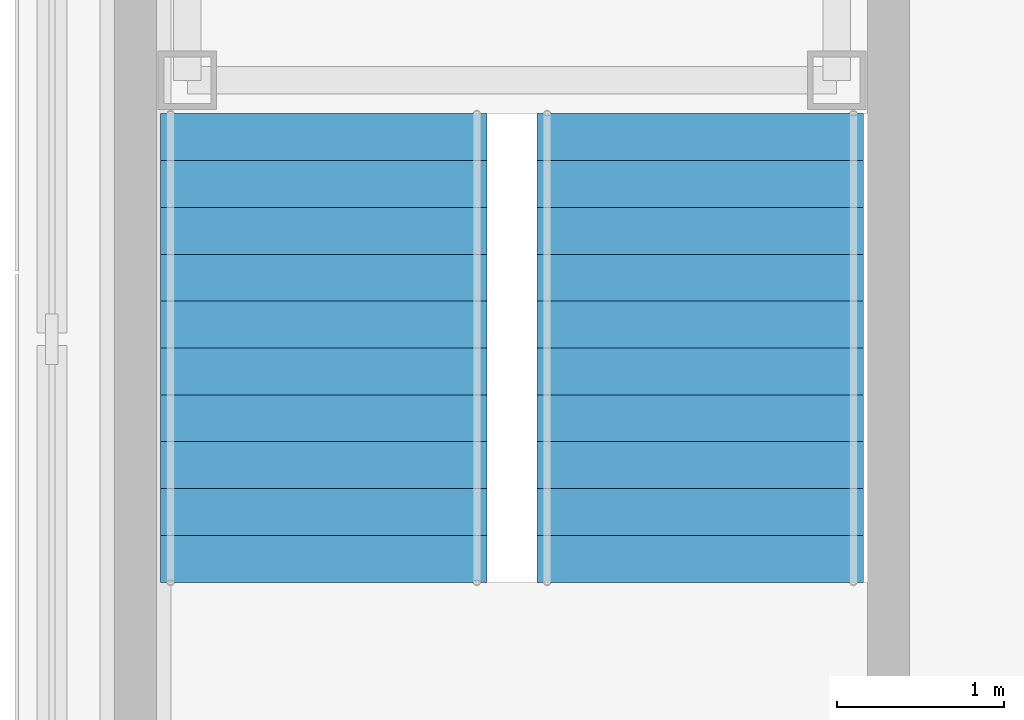
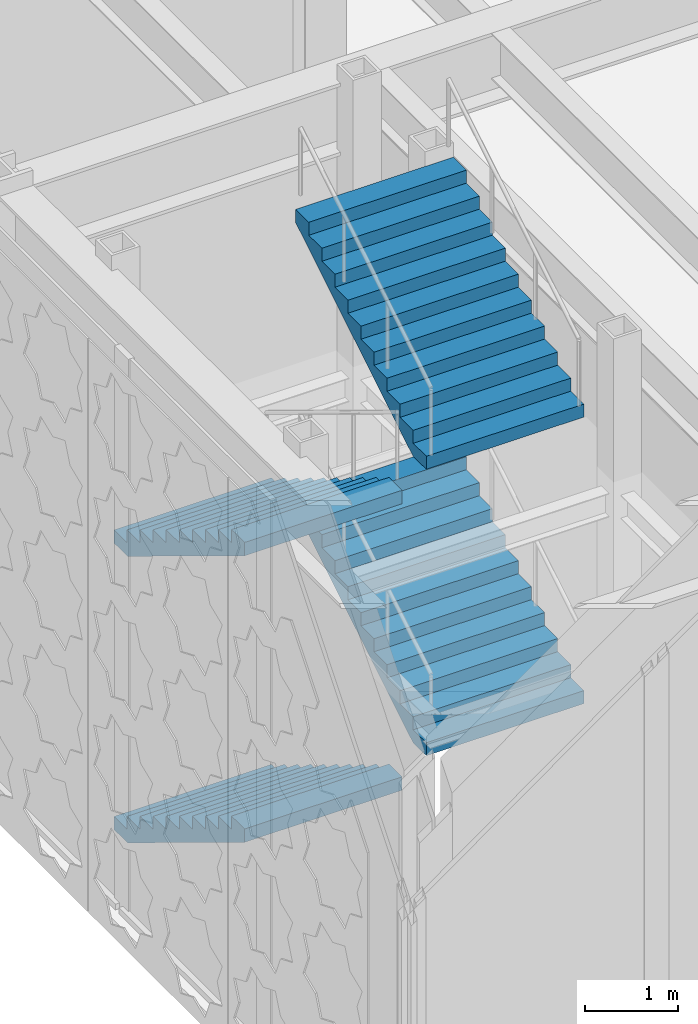
# One storey, part 18 of 34: 4 stair flights, 1 element without a shape of its own.
"""IFC4 building model written with IfcOpenShell, lengths in metres."""

from ifc_helpers import new_model, si_unit, direction, frame, origin, place, context, subcontext, project, spatial, faceted_brep, material, type_object, element, aggregate, save


model = new_model("IFC4")

# Units and contexts
model_context = context("Model", 3, precision=1e-05, world=origin(), true_north=direction((0.0, 1.0)))
body_context = subcontext(model_context, "Body", "Model", "MODEL_VIEW")
ifc_project = project(units=[si_unit("LENGTHUNIT", "METRE"), si_unit("AREAUNIT", "SQUARE_METRE"), si_unit("VOLUMEUNIT", "CUBIC_METRE"), si_unit("PLANEANGLEUNIT", "RADIAN"), si_unit("MASSUNIT", "GRAM", prefix="KILO")], contexts=[model_context])

# Site, building, storey
site_placement = place(None, origin())
site = spatial("IfcSite", under=ifc_project, at=site_placement, CompositionType="ELEMENT")
building_placement = place(site_placement, origin())
building = spatial("IfcBuilding", under=site, at=building_placement, Name="Chuquiago Exchange Tower", CompositionType="ELEMENT")
storey_placement = place(building_placement, frame((0.0, 0.0, 6.0)))
storey = spatial("IfcBuildingStorey", under=building, at=storey_placement, Name="L01", CompositionType="ELEMENT", Elevation=6.0)

# Stair, stair flights
ifc_material_1 = material(Name="Concrete C30/37, precast", Category="concrete")
stair_type = type_object("IfcStairType", Name="PS1 double half-turn stair 7500", PredefinedType="DOUBLE_RETURN_STAIR", material=ifc_material_1)
stair_placement = place(storey_placement, origin())
stair = element("IfcStair", 1, at=stair_placement, inside=storey, type_object=stair_type, Name="Stair PS1 L01", PredefinedType="DOUBLE_RETURN_STAIR")
ifc_material_2 = material(Name="Concrete C30/37, precast", Category="concrete")
stair_flight_type = type_object("IfcStairFlightType", Name="ST-F flight 1950 for 7500 storey", PredefinedType="STRAIGHT", material=ifc_material_2)
stair_flight_1_placement = place(storey_placement, frame((-7.875, -11.050048828125, 0.0), z_axis=(0.0, 0.0, 1.0), x_axis=(0.0, -1.0, 0.0)))
stair_flight_1 = element("IfcStairFlight", 2, at=stair_flight_1_placement, type_object=stair_flight_type, Name="PS1 flight 1", NumberOfRisers=11, NumberOfTreads=10, PredefinedType="STRAIGHT", RiserHeight=0.170454545, TreadLength=0.28, context=body_context, shape_type="Brep", body=[
    faceted_brep([(0.0, 0.97509765625, 0.0), (0.0, 0.97509765625, 0.17041015625), (0.280029296875, 0.97509765625, 0.17041015625), (0.280029296875, 0.97509765625, 0.3408203125), (0.56005859375, 0.97509765625, 0.3408203125), (0.56005859375, 0.97509765625, 0.511474609375), (0.840087890625, 0.97509765625, 0.511474609375), (0.840087890625, 0.97509765625, 0.681884765625), (1.1201171875, 0.97509765625, 0.681884765625), (1.1201171875, 0.97509765625, 0.852294921875), (1.39990234375, 0.97509765625, 0.852294921875), (1.39990234375, 0.97509765625, 1.022705078125), (1.679931640625, 0.97509765625, 1.022705078125), (1.679931640625, 0.97509765625, 1.193115234375), (1.9599609375, 0.97509765625, 1.193115234375), (1.9599609375, 0.97509765625, 1.363525390625), (2.239990234375, 0.97509765625, 1.363525390625), (2.239990234375, 0.97509765625, 1.5341796875), (2.52001953125, 0.97509765625, 1.5341796875), (2.52001953125, 0.97509765625, 1.70458984375), (2.800048828125, 0.97509765625, 1.70458984375), (2.800048828125, 0.97509765625, 1.529052734375), (0.288330078125, 0.97509765625, 0.0), (0.288330078125, -0.97509765625, 0.0), (2.800048828125, -0.97509765625, 1.529052734375), (2.800048828125, -0.97509765625, 1.70458984375), (2.52001953125, -0.97509765625, 1.70458984375), (2.52001953125, -0.97509765625, 1.5341796875), (2.239990234375, -0.97509765625, 1.5341796875), (2.239990234375, -0.97509765625, 1.363525390625), (1.9599609375, -0.97509765625, 1.363525390625), (1.9599609375, -0.97509765625, 1.193115234375), (1.679931640625, -0.97509765625, 1.193115234375), (1.679931640625, -0.97509765625, 1.022705078125), (1.39990234375, -0.97509765625, 1.022705078125), (1.39990234375, -0.97509765625, 0.852294921875), (1.1201171875, -0.97509765625, 0.852294921875), (1.1201171875, -0.97509765625, 0.681884765625), (0.840087890625, -0.97509765625, 0.681884765625), (0.840087890625, -0.97509765625, 0.511474609375), (0.56005859375, -0.97509765625, 0.511474609375), (0.56005859375, -0.97509765625, 0.3408203125), (0.280029296875, -0.97509765625, 0.3408203125), (0.280029296875, -0.97509765625, 0.17041015625), (0.0, -0.97509765625, 0.17041015625), (0.0, -0.97509765625, 0.0), (0.0, 0.487548828125, 0.0), (0.0, 0.487548828125, 0.17041015625), (0.0, 0.0, 0.0), (0.0, 0.0, 0.17041015625), (0.0, -0.487548828125, 0.0), (0.0, -0.487548828125, 0.17041015625), (0.280029296875, 0.487548828125, 0.17041015625), (0.280029296875, 0.0, 0.17041015625), (0.280029296875, -0.487548828125, 0.17041015625), (0.280029296875, 0.487548828125, 0.3408203125), (0.280029296875, 0.0, 0.3408203125), (0.280029296875, -0.487548828125, 0.3408203125), (0.56005859375, 0.487548828125, 0.3408203125), (0.56005859375, 0.0, 0.3408203125), (0.56005859375, -0.487548828125, 0.3408203125), (0.56005859375, 0.487548828125, 0.511474609375), (0.56005859375, 0.0, 0.511474609375), (0.56005859375, -0.487548828125, 0.511474609375), (0.840087890625, 0.487548828125, 0.511474609375), (0.840087890625, 0.0, 0.511474609375), (0.840087890625, -0.487548828125, 0.511474609375), (0.840087890625, 0.487548828125, 0.681884765625), (0.840087890625, 0.0, 0.681884765625), (0.840087890625, -0.487548828125, 0.681884765625), (1.1201171875, 0.487548828125, 0.681884765625), (1.1201171875, 0.0, 0.681884765625), (1.1201171875, -0.487548828125, 0.681884765625), (1.1201171875, 0.487548828125, 0.852294921875), (1.1201171875, 0.0, 0.852294921875), (1.1201171875, -0.487548828125, 0.852294921875), (1.39990234375, 0.487548828125, 0.852294921875), (1.39990234375, 0.0, 0.852294921875), (1.39990234375, -0.487548828125, 0.852294921875), (1.39990234375, 0.487548828125, 1.022705078125), (1.39990234375, 0.0, 1.022705078125), (1.39990234375, -0.487548828125, 1.022705078125), (1.679931640625, 0.487548828125, 1.022705078125), (1.679931640625, 0.0, 1.022705078125), (1.679931640625, -0.487548828125, 1.022705078125), (1.679931640625, 0.487548828125, 1.193115234375), (1.679931640625, 0.0, 1.193115234375), (1.679931640625, -0.487548828125, 1.193115234375), (1.9599609375, 0.487548828125, 1.193115234375), (1.9599609375, 0.0, 1.193115234375), (1.9599609375, -0.487548828125, 1.193115234375), (1.9599609375, 0.487548828125, 1.363525390625), (1.9599609375, 0.0, 1.363525390625), (1.9599609375, -0.487548828125, 1.363525390625), (2.239990234375, 0.487548828125, 1.363525390625), (2.239990234375, 0.0, 1.363525390625), (2.239990234375, -0.487548828125, 1.363525390625), (2.239990234375, 0.487548828125, 1.5341796875), (2.239990234375, 0.0, 1.5341796875), (2.239990234375, -0.487548828125, 1.5341796875), (2.52001953125, 0.487548828125, 1.5341796875), (2.52001953125, 0.0, 1.5341796875), (2.52001953125, -0.487548828125, 1.5341796875), (2.52001953125, 0.487548828125, 1.70458984375), (2.52001953125, 0.0, 1.70458984375), (2.52001953125, -0.487548828125, 1.70458984375), (2.800048828125, 0.487548828125, 1.70458984375), (2.800048828125, 0.0, 1.70458984375), (2.800048828125, -0.487548828125, 1.70458984375), (2.800048828125, 0.487548828125, 1.529052734375), (2.800048828125, 0.0, 1.529052734375), (2.800048828125, -0.487548828125, 1.529052734375), (0.288330078125, 0.487548828125, 0.0), (0.288330078125, 0.0, 0.0), (0.288330078125, -0.487548828125, 0.0)], [[[0, 1, 2, 3, 4, 5, 6, 7, 8, 9, 10, 11, 12, 13, 14, 15, 16, 17, 18, 19, 20, 21, 22]], [[23, 24, 25, 26, 27, 28, 29, 30, 31, 32, 33, 34, 35, 36, 37, 38, 39, 40, 41, 42, 43, 44, 45]], [[1, 0, 46, 47]], [[47, 46, 48, 49]], [[49, 48, 50, 51]], [[51, 50, 45, 44]], [[2, 1, 47, 52]], [[52, 47, 49, 53]], [[53, 49, 51, 54]], [[54, 51, 44, 43]], [[3, 2, 52, 55]], [[55, 52, 53, 56]], [[56, 53, 54, 57]], [[57, 54, 43, 42]], [[4, 3, 55, 58]], [[58, 55, 56, 59]], [[59, 56, 57, 60]], [[60, 57, 42, 41]], [[5, 4, 58, 61]], [[61, 58, 59, 62]], [[62, 59, 60, 63]], [[63, 60, 41, 40]], [[6, 5, 61, 64]], [[64, 61, 62, 65]], [[65, 62, 63, 66]], [[66, 63, 40, 39]], [[7, 6, 64, 67]], [[67, 64, 65, 68]], [[68, 65, 66, 69]], [[69, 66, 39, 38]], [[8, 7, 67, 70]], [[70, 67, 68, 71]], [[71, 68, 69, 72]], [[72, 69, 38, 37]], [[9, 8, 70, 73]], [[73, 70, 71, 74]], [[74, 71, 72, 75]], [[75, 72, 37, 36]], [[10, 9, 73, 76]], [[76, 73, 74, 77]], [[77, 74, 75, 78]], [[78, 75, 36, 35]], [[11, 10, 76, 79]], [[79, 76, 77, 80]], [[80, 77, 78, 81]], [[81, 78, 35, 34]], [[12, 11, 79, 82]], [[82, 79, 80, 83]], [[83, 80, 81, 84]], [[84, 81, 34, 33]], [[13, 12, 82, 85]], [[85, 82, 83, 86]], [[86, 83, 84, 87]], [[87, 84, 33, 32]], [[14, 13, 85, 88]], [[88, 85, 86, 89]], [[89, 86, 87, 90]], [[90, 87, 32, 31]], [[15, 14, 88, 91]], [[91, 88, 89, 92]], [[92, 89, 90, 93]], [[93, 90, 31, 30]], [[16, 15, 91, 94]], [[94, 91, 92, 95]], [[95, 92, 93, 96]], [[96, 93, 30, 29]], [[17, 16, 94, 97]], [[97, 94, 95, 98]], [[98, 95, 96, 99]], [[99, 96, 29, 28]], [[18, 17, 97, 100]], [[100, 97, 98, 101]], [[101, 98, 99, 102]], [[102, 99, 28, 27]], [[19, 18, 100, 103]], [[103, 100, 101, 104]], [[104, 101, 102, 105]], [[105, 102, 27, 26]], [[20, 19, 103, 106]], [[106, 103, 104, 107]], [[107, 104, 105, 108]], [[108, 105, 26, 25]], [[21, 20, 106, 109]], [[109, 106, 107, 110]], [[110, 107, 108, 111]], [[111, 108, 25, 24]], [[22, 21, 109, 112]], [[112, 109, 110, 113]], [[113, 110, 111, 114]], [[114, 111, 24, 23]], [[0, 22, 112, 46]], [[46, 112, 113, 48]], [[48, 113, 114, 50]], [[50, 114, 23, 45]]]),
])
stair_flight_2_placement = place(storey_placement, frame((-5.625, -13.85009765625, 1.875), z_axis=(0.0, 0.0, 1.0), x_axis=(0.0, 1.0, 0.0)))
stair_flight_2 = element("IfcStairFlight", 3, at=stair_flight_2_placement, type_object=stair_flight_type, Name="PS1 flight 2", NumberOfRisers=11, NumberOfTreads=10, PredefinedType="STRAIGHT", RiserHeight=0.170454545, TreadLength=0.28, context=body_context, shape_type="Brep", body=[
    faceted_brep([(0.0, 0.97509765625, 0.0), (0.0, 0.97509765625, 0.17041015625), (0.280029296875, 0.97509765625, 0.17041015625), (0.280029296875, 0.97509765625, 0.3408203125), (0.56005859375, 0.97509765625, 0.3408203125), (0.56005859375, 0.97509765625, 0.511474609375), (0.840087890625, 0.97509765625, 0.511474609375), (0.840087890625, 0.97509765625, 0.681884765625), (1.1201171875, 0.97509765625, 0.681884765625), (1.1201171875, 0.97509765625, 0.852294921875), (1.39990234375, 0.97509765625, 0.852294921875), (1.39990234375, 0.97509765625, 1.022705078125), (1.679931640625, 0.97509765625, 1.022705078125), (1.679931640625, 0.97509765625, 1.193115234375), (1.9599609375, 0.97509765625, 1.193115234375), (1.9599609375, 0.97509765625, 1.363525390625), (2.239990234375, 0.97509765625, 1.363525390625), (2.239990234375, 0.97509765625, 1.5341796875), (2.52001953125, 0.97509765625, 1.5341796875), (2.52001953125, 0.97509765625, 1.70458984375), (2.800048828125, 0.97509765625, 1.70458984375), (2.800048828125, 0.97509765625, 1.529052734375), (0.288330078125, 0.97509765625, 0.0), (0.288330078125, -0.97509765625, 0.0), (2.800048828125, -0.97509765625, 1.529052734375), (2.800048828125, -0.97509765625, 1.70458984375), (2.52001953125, -0.97509765625, 1.70458984375), (2.52001953125, -0.97509765625, 1.5341796875), (2.239990234375, -0.97509765625, 1.5341796875), (2.239990234375, -0.97509765625, 1.363525390625), (1.9599609375, -0.97509765625, 1.363525390625), (1.9599609375, -0.97509765625, 1.193115234375), (1.679931640625, -0.97509765625, 1.193115234375), (1.679931640625, -0.97509765625, 1.022705078125), (1.39990234375, -0.97509765625, 1.022705078125), (1.39990234375, -0.97509765625, 0.852294921875), (1.1201171875, -0.97509765625, 0.852294921875), (1.1201171875, -0.97509765625, 0.681884765625), (0.840087890625, -0.97509765625, 0.681884765625), (0.840087890625, -0.97509765625, 0.511474609375), (0.56005859375, -0.97509765625, 0.511474609375), (0.56005859375, -0.97509765625, 0.3408203125), (0.280029296875, -0.97509765625, 0.3408203125), (0.280029296875, -0.97509765625, 0.17041015625), (0.0, -0.97509765625, 0.17041015625), (0.0, -0.97509765625, 0.0), (0.0, 0.487548828125, 0.0), (0.0, 0.487548828125, 0.17041015625), (0.0, 0.0, 0.0), (0.0, 0.0, 0.17041015625), (0.0, -0.487548828125, 0.0), (0.0, -0.487548828125, 0.17041015625), (0.280029296875, 0.487548828125, 0.17041015625), (0.280029296875, 0.0, 0.17041015625), (0.280029296875, -0.487548828125, 0.17041015625), (0.280029296875, 0.487548828125, 0.3408203125), (0.280029296875, 0.0, 0.3408203125), (0.280029296875, -0.487548828125, 0.3408203125), (0.56005859375, 0.487548828125, 0.3408203125), (0.56005859375, 0.0, 0.3408203125), (0.56005859375, -0.487548828125, 0.3408203125), (0.56005859375, 0.487548828125, 0.511474609375), (0.56005859375, 0.0, 0.511474609375), (0.56005859375, -0.487548828125, 0.511474609375), (0.840087890625, 0.487548828125, 0.511474609375), (0.840087890625, 0.0, 0.511474609375), (0.840087890625, -0.487548828125, 0.511474609375), (0.840087890625, 0.487548828125, 0.681884765625), (0.840087890625, 0.0, 0.681884765625), (0.840087890625, -0.487548828125, 0.681884765625), (1.1201171875, 0.487548828125, 0.681884765625), (1.1201171875, 0.0, 0.681884765625), (1.1201171875, -0.487548828125, 0.681884765625), (1.1201171875, 0.487548828125, 0.852294921875), (1.1201171875, 0.0, 0.852294921875), (1.1201171875, -0.487548828125, 0.852294921875), (1.39990234375, 0.487548828125, 0.852294921875), (1.39990234375, 0.0, 0.852294921875), (1.39990234375, -0.487548828125, 0.852294921875), (1.39990234375, 0.487548828125, 1.022705078125), (1.39990234375, 0.0, 1.022705078125), (1.39990234375, -0.487548828125, 1.022705078125), (1.679931640625, 0.487548828125, 1.022705078125), (1.679931640625, 0.0, 1.022705078125), (1.679931640625, -0.487548828125, 1.022705078125), (1.679931640625, 0.487548828125, 1.193115234375), (1.679931640625, 0.0, 1.193115234375), (1.679931640625, -0.487548828125, 1.193115234375), (1.9599609375, 0.487548828125, 1.193115234375), (1.9599609375, 0.0, 1.193115234375), (1.9599609375, -0.487548828125, 1.193115234375), (1.9599609375, 0.487548828125, 1.363525390625), (1.9599609375, 0.0, 1.363525390625), (1.9599609375, -0.487548828125, 1.363525390625), (2.239990234375, 0.487548828125, 1.363525390625), (2.239990234375, 0.0, 1.363525390625), (2.239990234375, -0.487548828125, 1.363525390625), (2.239990234375, 0.487548828125, 1.5341796875), (2.239990234375, 0.0, 1.5341796875), (2.239990234375, -0.487548828125, 1.5341796875), (2.52001953125, 0.487548828125, 1.5341796875), (2.52001953125, 0.0, 1.5341796875), (2.52001953125, -0.487548828125, 1.5341796875), (2.52001953125, 0.487548828125, 1.70458984375), (2.52001953125, 0.0, 1.70458984375), (2.52001953125, -0.487548828125, 1.70458984375), (2.800048828125, 0.487548828125, 1.70458984375), (2.800048828125, 0.0, 1.70458984375), (2.800048828125, -0.487548828125, 1.70458984375), (2.800048828125, 0.487548828125, 1.529052734375), (2.800048828125, 0.0, 1.529052734375), (2.800048828125, -0.487548828125, 1.529052734375), (0.288330078125, 0.487548828125, 0.0), (0.288330078125, 0.0, 0.0), (0.288330078125, -0.487548828125, 0.0)], [[[0, 1, 2, 3, 4, 5, 6, 7, 8, 9, 10, 11, 12, 13, 14, 15, 16, 17, 18, 19, 20, 21, 22]], [[23, 24, 25, 26, 27, 28, 29, 30, 31, 32, 33, 34, 35, 36, 37, 38, 39, 40, 41, 42, 43, 44, 45]], [[1, 0, 46, 47]], [[47, 46, 48, 49]], [[49, 48, 50, 51]], [[51, 50, 45, 44]], [[2, 1, 47, 52]], [[52, 47, 49, 53]], [[53, 49, 51, 54]], [[54, 51, 44, 43]], [[3, 2, 52, 55]], [[55, 52, 53, 56]], [[56, 53, 54, 57]], [[57, 54, 43, 42]], [[4, 3, 55, 58]], [[58, 55, 56, 59]], [[59, 56, 57, 60]], [[60, 57, 42, 41]], [[5, 4, 58, 61]], [[61, 58, 59, 62]], [[62, 59, 60, 63]], [[63, 60, 41, 40]], [[6, 5, 61, 64]], [[64, 61, 62, 65]], [[65, 62, 63, 66]], [[66, 63, 40, 39]], [[7, 6, 64, 67]], [[67, 64, 65, 68]], [[68, 65, 66, 69]], [[69, 66, 39, 38]], [[8, 7, 67, 70]], [[70, 67, 68, 71]], [[71, 68, 69, 72]], [[72, 69, 38, 37]], [[9, 8, 70, 73]], [[73, 70, 71, 74]], [[74, 71, 72, 75]], [[75, 72, 37, 36]], [[10, 9, 73, 76]], [[76, 73, 74, 77]], [[77, 74, 75, 78]], [[78, 75, 36, 35]], [[11, 10, 76, 79]], [[79, 76, 77, 80]], [[80, 77, 78, 81]], [[81, 78, 35, 34]], [[12, 11, 79, 82]], [[82, 79, 80, 83]], [[83, 80, 81, 84]], [[84, 81, 34, 33]], [[13, 12, 82, 85]], [[85, 82, 83, 86]], [[86, 83, 84, 87]], [[87, 84, 33, 32]], [[14, 13, 85, 88]], [[88, 85, 86, 89]], [[89, 86, 87, 90]], [[90, 87, 32, 31]], [[15, 14, 88, 91]], [[91, 88, 89, 92]], [[92, 89, 90, 93]], [[93, 90, 31, 30]], [[16, 15, 91, 94]], [[94, 91, 92, 95]], [[95, 92, 93, 96]], [[96, 93, 30, 29]], [[17, 16, 94, 97]], [[97, 94, 95, 98]], [[98, 95, 96, 99]], [[99, 96, 29, 28]], [[18, 17, 97, 100]], [[100, 97, 98, 101]], [[101, 98, 99, 102]], [[102, 99, 28, 27]], [[19, 18, 100, 103]], [[103, 100, 101, 104]], [[104, 101, 102, 105]], [[105, 102, 27, 26]], [[20, 19, 103, 106]], [[106, 103, 104, 107]], [[107, 104, 105, 108]], [[108, 105, 26, 25]], [[21, 20, 106, 109]], [[109, 106, 107, 110]], [[110, 107, 108, 111]], [[111, 108, 25, 24]], [[22, 21, 109, 112]], [[112, 109, 110, 113]], [[113, 110, 111, 114]], [[114, 111, 24, 23]], [[0, 22, 112, 46]], [[46, 112, 113, 48]], [[48, 113, 114, 50]], [[50, 114, 23, 45]]]),
])
stair_flight_3_placement = place(storey_placement, frame((-7.875, -11.050048828125, 3.75), z_axis=(0.0, 0.0, 1.0), x_axis=(0.0, -1.0, 0.0)))
stair_flight_3 = element("IfcStairFlight", 4, at=stair_flight_3_placement, type_object=stair_flight_type, Name="PS1 flight 3", NumberOfRisers=11, NumberOfTreads=10, PredefinedType="STRAIGHT", RiserHeight=0.170454545, TreadLength=0.28, context=body_context, shape_type="Brep", body=[
    faceted_brep([(0.0, 0.97509765625, 0.0), (0.0, 0.97509765625, 0.17041015625), (0.280029296875, 0.97509765625, 0.17041015625), (0.280029296875, 0.97509765625, 0.3408203125), (0.56005859375, 0.97509765625, 0.3408203125), (0.56005859375, 0.97509765625, 0.511474609375), (0.840087890625, 0.97509765625, 0.511474609375), (0.840087890625, 0.97509765625, 0.681884765625), (1.1201171875, 0.97509765625, 0.681884765625), (1.1201171875, 0.97509765625, 0.852294921875), (1.39990234375, 0.97509765625, 0.852294921875), (1.39990234375, 0.97509765625, 1.022705078125), (1.679931640625, 0.97509765625, 1.022705078125), (1.679931640625, 0.97509765625, 1.193115234375), (1.9599609375, 0.97509765625, 1.193115234375), (1.9599609375, 0.97509765625, 1.363525390625), (2.239990234375, 0.97509765625, 1.363525390625), (2.239990234375, 0.97509765625, 1.5341796875), (2.52001953125, 0.97509765625, 1.5341796875), (2.52001953125, 0.97509765625, 1.70458984375), (2.800048828125, 0.97509765625, 1.70458984375), (2.800048828125, 0.97509765625, 1.529052734375), (0.288330078125, 0.97509765625, 0.0), (0.288330078125, -0.97509765625, 0.0), (2.800048828125, -0.97509765625, 1.529052734375), (2.800048828125, -0.97509765625, 1.70458984375), (2.52001953125, -0.97509765625, 1.70458984375), (2.52001953125, -0.97509765625, 1.5341796875), (2.239990234375, -0.97509765625, 1.5341796875), (2.239990234375, -0.97509765625, 1.363525390625), (1.9599609375, -0.97509765625, 1.363525390625), (1.9599609375, -0.97509765625, 1.193115234375), (1.679931640625, -0.97509765625, 1.193115234375), (1.679931640625, -0.97509765625, 1.022705078125), (1.39990234375, -0.97509765625, 1.022705078125), (1.39990234375, -0.97509765625, 0.852294921875), (1.1201171875, -0.97509765625, 0.852294921875), (1.1201171875, -0.97509765625, 0.681884765625), (0.840087890625, -0.97509765625, 0.681884765625), (0.840087890625, -0.97509765625, 0.511474609375), (0.56005859375, -0.97509765625, 0.511474609375), (0.56005859375, -0.97509765625, 0.3408203125), (0.280029296875, -0.97509765625, 0.3408203125), (0.280029296875, -0.97509765625, 0.17041015625), (0.0, -0.97509765625, 0.17041015625), (0.0, -0.97509765625, 0.0), (0.0, 0.487548828125, 0.0), (0.0, 0.487548828125, 0.17041015625), (0.0, 0.0, 0.0), (0.0, 0.0, 0.17041015625), (0.0, -0.487548828125, 0.0), (0.0, -0.487548828125, 0.17041015625), (0.280029296875, 0.487548828125, 0.17041015625), (0.280029296875, 0.0, 0.17041015625), (0.280029296875, -0.487548828125, 0.17041015625), (0.280029296875, 0.487548828125, 0.3408203125), (0.280029296875, 0.0, 0.3408203125), (0.280029296875, -0.487548828125, 0.3408203125), (0.56005859375, 0.487548828125, 0.3408203125), (0.56005859375, 0.0, 0.3408203125), (0.56005859375, -0.487548828125, 0.3408203125), (0.56005859375, 0.487548828125, 0.511474609375), (0.56005859375, 0.0, 0.511474609375), (0.56005859375, -0.487548828125, 0.511474609375), (0.840087890625, 0.487548828125, 0.511474609375), (0.840087890625, 0.0, 0.511474609375), (0.840087890625, -0.487548828125, 0.511474609375), (0.840087890625, 0.487548828125, 0.681884765625), (0.840087890625, 0.0, 0.681884765625), (0.840087890625, -0.487548828125, 0.681884765625), (1.1201171875, 0.487548828125, 0.681884765625), (1.1201171875, 0.0, 0.681884765625), (1.1201171875, -0.487548828125, 0.681884765625), (1.1201171875, 0.487548828125, 0.852294921875), (1.1201171875, 0.0, 0.852294921875), (1.1201171875, -0.487548828125, 0.852294921875), (1.39990234375, 0.487548828125, 0.852294921875), (1.39990234375, 0.0, 0.852294921875), (1.39990234375, -0.487548828125, 0.852294921875), (1.39990234375, 0.487548828125, 1.022705078125), (1.39990234375, 0.0, 1.022705078125), (1.39990234375, -0.487548828125, 1.022705078125), (1.679931640625, 0.487548828125, 1.022705078125), (1.679931640625, 0.0, 1.022705078125), (1.679931640625, -0.487548828125, 1.022705078125), (1.679931640625, 0.487548828125, 1.193115234375), (1.679931640625, 0.0, 1.193115234375), (1.679931640625, -0.487548828125, 1.193115234375), (1.9599609375, 0.487548828125, 1.193115234375), (1.9599609375, 0.0, 1.193115234375), (1.9599609375, -0.487548828125, 1.193115234375), (1.9599609375, 0.487548828125, 1.363525390625), (1.9599609375, 0.0, 1.363525390625), (1.9599609375, -0.487548828125, 1.363525390625), (2.239990234375, 0.487548828125, 1.363525390625), (2.239990234375, 0.0, 1.363525390625), (2.239990234375, -0.487548828125, 1.363525390625), (2.239990234375, 0.487548828125, 1.5341796875), (2.239990234375, 0.0, 1.5341796875), (2.239990234375, -0.487548828125, 1.5341796875), (2.52001953125, 0.487548828125, 1.5341796875), (2.52001953125, 0.0, 1.5341796875), (2.52001953125, -0.487548828125, 1.5341796875), (2.52001953125, 0.487548828125, 1.70458984375), (2.52001953125, 0.0, 1.70458984375), (2.52001953125, -0.487548828125, 1.70458984375), (2.800048828125, 0.487548828125, 1.70458984375), (2.800048828125, 0.0, 1.70458984375), (2.800048828125, -0.487548828125, 1.70458984375), (2.800048828125, 0.487548828125, 1.529052734375), (2.800048828125, 0.0, 1.529052734375), (2.800048828125, -0.487548828125, 1.529052734375), (0.288330078125, 0.487548828125, 0.0), (0.288330078125, 0.0, 0.0), (0.288330078125, -0.487548828125, 0.0)], [[[0, 1, 2, 3, 4, 5, 6, 7, 8, 9, 10, 11, 12, 13, 14, 15, 16, 17, 18, 19, 20, 21, 22]], [[23, 24, 25, 26, 27, 28, 29, 30, 31, 32, 33, 34, 35, 36, 37, 38, 39, 40, 41, 42, 43, 44, 45]], [[1, 0, 46, 47]], [[47, 46, 48, 49]], [[49, 48, 50, 51]], [[51, 50, 45, 44]], [[2, 1, 47, 52]], [[52, 47, 49, 53]], [[53, 49, 51, 54]], [[54, 51, 44, 43]], [[3, 2, 52, 55]], [[55, 52, 53, 56]], [[56, 53, 54, 57]], [[57, 54, 43, 42]], [[4, 3, 55, 58]], [[58, 55, 56, 59]], [[59, 56, 57, 60]], [[60, 57, 42, 41]], [[5, 4, 58, 61]], [[61, 58, 59, 62]], [[62, 59, 60, 63]], [[63, 60, 41, 40]], [[6, 5, 61, 64]], [[64, 61, 62, 65]], [[65, 62, 63, 66]], [[66, 63, 40, 39]], [[7, 6, 64, 67]], [[67, 64, 65, 68]], [[68, 65, 66, 69]], [[69, 66, 39, 38]], [[8, 7, 67, 70]], [[70, 67, 68, 71]], [[71, 68, 69, 72]], [[72, 69, 38, 37]], [[9, 8, 70, 73]], [[73, 70, 71, 74]], [[74, 71, 72, 75]], [[75, 72, 37, 36]], [[10, 9, 73, 76]], [[76, 73, 74, 77]], [[77, 74, 75, 78]], [[78, 75, 36, 35]], [[11, 10, 76, 79]], [[79, 76, 77, 80]], [[80, 77, 78, 81]], [[81, 78, 35, 34]], [[12, 11, 79, 82]], [[82, 79, 80, 83]], [[83, 80, 81, 84]], [[84, 81, 34, 33]], [[13, 12, 82, 85]], [[85, 82, 83, 86]], [[86, 83, 84, 87]], [[87, 84, 33, 32]], [[14, 13, 85, 88]], [[88, 85, 86, 89]], [[89, 86, 87, 90]], [[90, 87, 32, 31]], [[15, 14, 88, 91]], [[91, 88, 89, 92]], [[92, 89, 90, 93]], [[93, 90, 31, 30]], [[16, 15, 91, 94]], [[94, 91, 92, 95]], [[95, 92, 93, 96]], [[96, 93, 30, 29]], [[17, 16, 94, 97]], [[97, 94, 95, 98]], [[98, 95, 96, 99]], [[99, 96, 29, 28]], [[18, 17, 97, 100]], [[100, 97, 98, 101]], [[101, 98, 99, 102]], [[102, 99, 28, 27]], [[19, 18, 100, 103]], [[103, 100, 101, 104]], [[104, 101, 102, 105]], [[105, 102, 27, 26]], [[20, 19, 103, 106]], [[106, 103, 104, 107]], [[107, 104, 105, 108]], [[108, 105, 26, 25]], [[21, 20, 106, 109]], [[109, 106, 107, 110]], [[110, 107, 108, 111]], [[111, 108, 25, 24]], [[22, 21, 109, 112]], [[112, 109, 110, 113]], [[113, 110, 111, 114]], [[114, 111, 24, 23]], [[0, 22, 112, 46]], [[46, 112, 113, 48]], [[48, 113, 114, 50]], [[50, 114, 23, 45]]]),
])
stair_flight_4_placement = place(storey_placement, frame((-5.625, -13.85009765625, 5.625), z_axis=(0.0, 0.0, 1.0), x_axis=(0.0, 1.0, 0.0)))
stair_flight_4 = element("IfcStairFlight", 5, at=stair_flight_4_placement, type_object=stair_flight_type, Name="PS1 flight 4", NumberOfRisers=11, NumberOfTreads=10, PredefinedType="STRAIGHT", RiserHeight=0.170454545, TreadLength=0.28, context=body_context, shape_type="Brep", body=[
    faceted_brep([(0.0, 0.97509765625, 0.0), (0.0, 0.97509765625, 0.17041015625), (0.280029296875, 0.97509765625, 0.17041015625), (0.280029296875, 0.97509765625, 0.3408203125), (0.56005859375, 0.97509765625, 0.3408203125), (0.56005859375, 0.97509765625, 0.511474609375), (0.840087890625, 0.97509765625, 0.511474609375), (0.840087890625, 0.97509765625, 0.681884765625), (1.1201171875, 0.97509765625, 0.681884765625), (1.1201171875, 0.97509765625, 0.852294921875), (1.39990234375, 0.97509765625, 0.852294921875), (1.39990234375, 0.97509765625, 1.022705078125), (1.679931640625, 0.97509765625, 1.022705078125), (1.679931640625, 0.97509765625, 1.193115234375), (1.9599609375, 0.97509765625, 1.193115234375), (1.9599609375, 0.97509765625, 1.363525390625), (2.239990234375, 0.97509765625, 1.363525390625), (2.239990234375, 0.97509765625, 1.5341796875), (2.52001953125, 0.97509765625, 1.5341796875), (2.52001953125, 0.97509765625, 1.70458984375), (2.800048828125, 0.97509765625, 1.70458984375), (2.800048828125, 0.97509765625, 1.529052734375), (0.288330078125, 0.97509765625, 0.0), (0.288330078125, -0.97509765625, 0.0), (2.800048828125, -0.97509765625, 1.529052734375), (2.800048828125, -0.97509765625, 1.70458984375), (2.52001953125, -0.97509765625, 1.70458984375), (2.52001953125, -0.97509765625, 1.5341796875), (2.239990234375, -0.97509765625, 1.5341796875), (2.239990234375, -0.97509765625, 1.363525390625), (1.9599609375, -0.97509765625, 1.363525390625), (1.9599609375, -0.97509765625, 1.193115234375), (1.679931640625, -0.97509765625, 1.193115234375), (1.679931640625, -0.97509765625, 1.022705078125), (1.39990234375, -0.97509765625, 1.022705078125), (1.39990234375, -0.97509765625, 0.852294921875), (1.1201171875, -0.97509765625, 0.852294921875), (1.1201171875, -0.97509765625, 0.681884765625), (0.840087890625, -0.97509765625, 0.681884765625), (0.840087890625, -0.97509765625, 0.511474609375), (0.56005859375, -0.97509765625, 0.511474609375), (0.56005859375, -0.97509765625, 0.3408203125), (0.280029296875, -0.97509765625, 0.3408203125), (0.280029296875, -0.97509765625, 0.17041015625), (0.0, -0.97509765625, 0.17041015625), (0.0, -0.97509765625, 0.0), (0.0, 0.487548828125, 0.0), (0.0, 0.487548828125, 0.17041015625), (0.0, 0.0, 0.0), (0.0, 0.0, 0.17041015625), (0.0, -0.487548828125, 0.0), (0.0, -0.487548828125, 0.17041015625), (0.280029296875, 0.487548828125, 0.17041015625), (0.280029296875, 0.0, 0.17041015625), (0.280029296875, -0.487548828125, 0.17041015625), (0.280029296875, 0.487548828125, 0.3408203125), (0.280029296875, 0.0, 0.3408203125), (0.280029296875, -0.487548828125, 0.3408203125), (0.56005859375, 0.487548828125, 0.3408203125), (0.56005859375, 0.0, 0.3408203125), (0.56005859375, -0.487548828125, 0.3408203125), (0.56005859375, 0.487548828125, 0.511474609375), (0.56005859375, 0.0, 0.511474609375), (0.56005859375, -0.487548828125, 0.511474609375), (0.840087890625, 0.487548828125, 0.511474609375), (0.840087890625, 0.0, 0.511474609375), (0.840087890625, -0.487548828125, 0.511474609375), (0.840087890625, 0.487548828125, 0.681884765625), (0.840087890625, 0.0, 0.681884765625), (0.840087890625, -0.487548828125, 0.681884765625), (1.1201171875, 0.487548828125, 0.681884765625), (1.1201171875, 0.0, 0.681884765625), (1.1201171875, -0.487548828125, 0.681884765625), (1.1201171875, 0.487548828125, 0.852294921875), (1.1201171875, 0.0, 0.852294921875), (1.1201171875, -0.487548828125, 0.852294921875), (1.39990234375, 0.487548828125, 0.852294921875), (1.39990234375, 0.0, 0.852294921875), (1.39990234375, -0.487548828125, 0.852294921875), (1.39990234375, 0.487548828125, 1.022705078125), (1.39990234375, 0.0, 1.022705078125), (1.39990234375, -0.487548828125, 1.022705078125), (1.679931640625, 0.487548828125, 1.022705078125), (1.679931640625, 0.0, 1.022705078125), (1.679931640625, -0.487548828125, 1.022705078125), (1.679931640625, 0.487548828125, 1.193115234375), (1.679931640625, 0.0, 1.193115234375), (1.679931640625, -0.487548828125, 1.193115234375), (1.9599609375, 0.487548828125, 1.193115234375), (1.9599609375, 0.0, 1.193115234375), (1.9599609375, -0.487548828125, 1.193115234375), (1.9599609375, 0.487548828125, 1.363525390625), (1.9599609375, 0.0, 1.363525390625), (1.9599609375, -0.487548828125, 1.363525390625), (2.239990234375, 0.487548828125, 1.363525390625), (2.239990234375, 0.0, 1.363525390625), (2.239990234375, -0.487548828125, 1.363525390625), (2.239990234375, 0.487548828125, 1.5341796875), (2.239990234375, 0.0, 1.5341796875), (2.239990234375, -0.487548828125, 1.5341796875), (2.52001953125, 0.487548828125, 1.5341796875), (2.52001953125, 0.0, 1.5341796875), (2.52001953125, -0.487548828125, 1.5341796875), (2.52001953125, 0.487548828125, 1.70458984375), (2.52001953125, 0.0, 1.70458984375), (2.52001953125, -0.487548828125, 1.70458984375), (2.800048828125, 0.487548828125, 1.70458984375), (2.800048828125, 0.0, 1.70458984375), (2.800048828125, -0.487548828125, 1.70458984375), (2.800048828125, 0.487548828125, 1.529052734375), (2.800048828125, 0.0, 1.529052734375), (2.800048828125, -0.487548828125, 1.529052734375), (0.288330078125, 0.487548828125, 0.0), (0.288330078125, 0.0, 0.0), (0.288330078125, -0.487548828125, 0.0)], [[[0, 1, 2, 3, 4, 5, 6, 7, 8, 9, 10, 11, 12, 13, 14, 15, 16, 17, 18, 19, 20, 21, 22]], [[23, 24, 25, 26, 27, 28, 29, 30, 31, 32, 33, 34, 35, 36, 37, 38, 39, 40, 41, 42, 43, 44, 45]], [[1, 0, 46, 47]], [[47, 46, 48, 49]], [[49, 48, 50, 51]], [[51, 50, 45, 44]], [[2, 1, 47, 52]], [[52, 47, 49, 53]], [[53, 49, 51, 54]], [[54, 51, 44, 43]], [[3, 2, 52, 55]], [[55, 52, 53, 56]], [[56, 53, 54, 57]], [[57, 54, 43, 42]], [[4, 3, 55, 58]], [[58, 55, 56, 59]], [[59, 56, 57, 60]], [[60, 57, 42, 41]], [[5, 4, 58, 61]], [[61, 58, 59, 62]], [[62, 59, 60, 63]], [[63, 60, 41, 40]], [[6, 5, 61, 64]], [[64, 61, 62, 65]], [[65, 62, 63, 66]], [[66, 63, 40, 39]], [[7, 6, 64, 67]], [[67, 64, 65, 68]], [[68, 65, 66, 69]], [[69, 66, 39, 38]], [[8, 7, 67, 70]], [[70, 67, 68, 71]], [[71, 68, 69, 72]], [[72, 69, 38, 37]], [[9, 8, 70, 73]], [[73, 70, 71, 74]], [[74, 71, 72, 75]], [[75, 72, 37, 36]], [[10, 9, 73, 76]], [[76, 73, 74, 77]], [[77, 74, 75, 78]], [[78, 75, 36, 35]], [[11, 10, 76, 79]], [[79, 76, 77, 80]], [[80, 77, 78, 81]], [[81, 78, 35, 34]], [[12, 11, 79, 82]], [[82, 79, 80, 83]], [[83, 80, 81, 84]], [[84, 81, 34, 33]], [[13, 12, 82, 85]], [[85, 82, 83, 86]], [[86, 83, 84, 87]], [[87, 84, 33, 32]], [[14, 13, 85, 88]], [[88, 85, 86, 89]], [[89, 86, 87, 90]], [[90, 87, 32, 31]], [[15, 14, 88, 91]], [[91, 88, 89, 92]], [[92, 89, 90, 93]], [[93, 90, 31, 30]], [[16, 15, 91, 94]], [[94, 91, 92, 95]], [[95, 92, 93, 96]], [[96, 93, 30, 29]], [[17, 16, 94, 97]], [[97, 94, 95, 98]], [[98, 95, 96, 99]], [[99, 96, 29, 28]], [[18, 17, 97, 100]], [[100, 97, 98, 101]], [[101, 98, 99, 102]], [[102, 99, 28, 27]], [[19, 18, 100, 103]], [[103, 100, 101, 104]], [[104, 101, 102, 105]], [[105, 102, 27, 26]], [[20, 19, 103, 106]], [[106, 103, 104, 107]], [[107, 104, 105, 108]], [[108, 105, 26, 25]], [[21, 20, 106, 109]], [[109, 106, 107, 110]], [[110, 107, 108, 111]], [[111, 108, 25, 24]], [[22, 21, 109, 112]], [[112, 109, 110, 113]], [[113, 110, 111, 114]], [[114, 111, 24, 23]], [[0, 22, 112, 46]], [[46, 112, 113, 48]], [[48, 113, 114, 50]], [[50, 114, 23, 45]]]),
])
aggregate(stair, [stair_flight_1, stair_flight_2, stair_flight_3, stair_flight_4])

save(model, "model.ifc")
